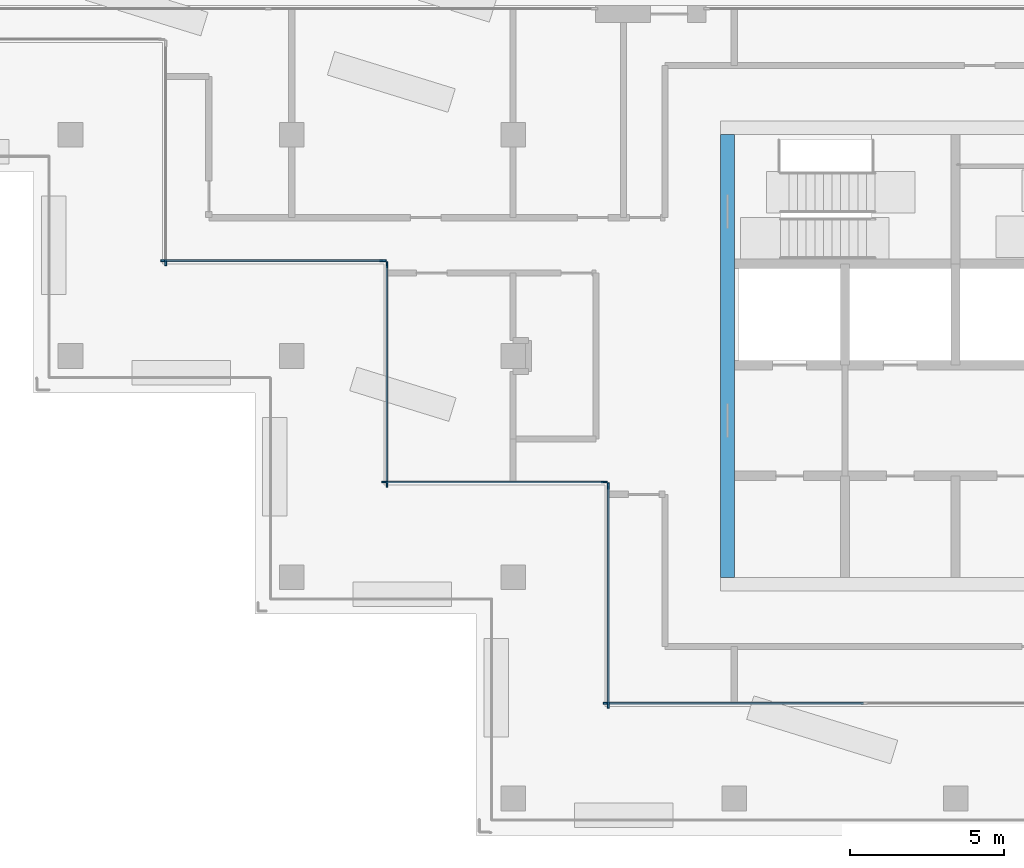
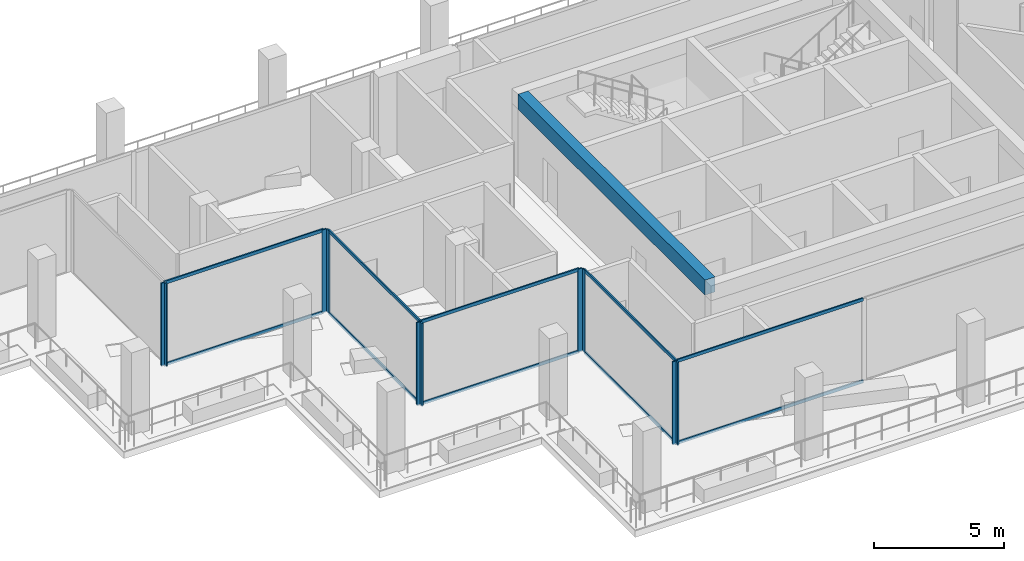
# One storey, part 2 of 20: 20 members, 1 beam, 6 elements without a shape of their own.
"""IFC4 building model written with IfcOpenShell, lengths in metres."""

from ifc_helpers import new_model, si_unit, direction, frame, origin, origin_2d, place, context, subcontext, project, spatial, rectangle, extrude, material, material_profile, profile_set, type_object, element, aggregate, save


model = new_model("IFC4")

# Units and contexts
model_context = context("Model", 3, precision=1e-05, world=origin(), true_north=direction((0.0, 1.0)))
body_context = subcontext(model_context, "Body", "Model", "MODEL_VIEW")
ifc_project = project(units=[si_unit("LENGTHUNIT", "METRE"), si_unit("AREAUNIT", "SQUARE_METRE"), si_unit("VOLUMEUNIT", "CUBIC_METRE"), si_unit("PLANEANGLEUNIT", "RADIAN"), si_unit("MASSUNIT", "GRAM", prefix="KILO")], contexts=[model_context])

# Site, building, storey
site_placement = place(None, origin())
site = spatial("IfcSite", under=ifc_project, at=site_placement, CompositionType="ELEMENT")
building_placement = place(site_placement, origin())
building = spatial("IfcBuilding", under=site, at=building_placement, Name="Windrow Commons", CompositionType="ELEMENT")
storey_placement = place(building_placement, frame((0.0, 0.0, 239.6)))
storey = spatial("IfcBuildingStorey", under=building, at=storey_placement, Name="L65", CompositionType="ELEMENT", Elevation=239.6)

# Curtain wall, member
ifc_material_1 = material(Name="Clear laminated glass in Aluminium 6063-T6 anodised frame", Category="aluminium")
curtain_wall_type = type_object("IfcCurtainWallType", Name="Curtain wall CW2H sky lounge upper", PredefinedType="USERDEFINED", material=ifc_material_1)
placement = place(storey_placement, origin())
curtain_wall_1 = element("IfcCurtainWall", 1, at=placement, inside=storey, type_object=curtain_wall_type, Name="Curtain wall CW2H L65 7", ObjectType="UNITISED", PredefinedType="USERDEFINED")
ifc_material_2 = material(Name="Aluminium 6063-T6", Category="aluminium")
ifc_material_profile_1 = material_profile(ifc_material_2, rectangle(XDim=0.06, YDim=0.2, at=origin_2d()))
ifc_profile_set_1 = profile_set([ifc_material_profile_1], Name="Aluminium 6063-T6")
member_type_1 = type_object("IfcMemberType", Name="CW2H mullion 60x200", PredefinedType="MULLION", material=ifc_profile_set_1)
member_1_placement = place(storey_placement, frame((39.1, 60.63, 0.0), z_axis=(0.0, 0.0, 1.0), x_axis=(1.0, 0.0, 0.0)))
member_1 = element("IfcMember", 2, at=member_1_placement, type_object=member_type_1, Name="CW2H mullion 2", PredefinedType="MULLION", context=body_context, shape_type="SweptSolid", body=[
    extrude(rectangle(XDim=0.06, YDim=0.2, at=origin_2d()), origin(), (0.0, 0.0, 1.0), 3.9),
])
aggregate(curtain_wall_1, [member_1])

# Curtain wall, members
curtain_wall_2 = element("IfcCurtainWall", 3, at=placement, inside=storey, type_object=curtain_wall_type, Name="Curtain wall CW2H L65 8", ObjectType="UNITISED", PredefinedType="USERDEFINED")
member_2_placement = place(storey_placement, frame((39.03, 60.7, 0.0), z_axis=(0.0, 0.0, 1.0), x_axis=(0.0, 1.0, 0.0)))
member_2 = element("IfcMember", 4, at=member_2_placement, type_object=member_type_1, Name="CW2H mullion 1", PredefinedType="MULLION", context=body_context, shape_type="SweptSolid", body=[
    extrude(rectangle(XDim=0.06, YDim=0.2, at=origin_2d()), origin(), (0.0, 0.0, 1.0), 3.9),
])
member_3_placement = place(storey_placement, frame((46.17, 60.7, 0.0), z_axis=(0.0, 0.0, 1.0), x_axis=(0.0, 1.0, 0.0)))
member_3 = element("IfcMember", 5, at=member_3_placement, type_object=member_type_1, Name="CW2H mullion 2", PredefinedType="MULLION", context=body_context, shape_type="SweptSolid", body=[
    extrude(rectangle(XDim=0.06, YDim=0.2, at=origin_2d()), origin(), (0.0, 0.0, 1.0), 3.9),
])

curtain_wall_3 = element("IfcCurtainWall", 6, at=placement, inside=storey, type_object=curtain_wall_type, Name="Curtain wall CW2H L65 9", ObjectType="UNITISED", PredefinedType="USERDEFINED")
member_4_placement = place(storey_placement, frame((46.3, 60.57, 0.0), z_axis=(0.0, 0.0, 1.0), x_axis=(1.0, 0.0, 0.0)))
member_4 = element("IfcMember", 7, at=member_4_placement, type_object=member_type_1, Name="CW2H mullion 1", PredefinedType="MULLION", context=body_context, shape_type="SweptSolid", body=[
    extrude(rectangle(XDim=0.06, YDim=0.2, at=origin_2d()), origin(), (0.0, 0.0, 1.0), 3.9),
])
member_5_placement = place(storey_placement, frame((46.3, 53.43, 0.0), z_axis=(0.0, 0.0, 1.0), x_axis=(1.0, 0.0, 0.0)))
member_5 = element("IfcMember", 8, at=member_5_placement, type_object=member_type_1, Name="CW2H mullion 2", PredefinedType="MULLION", context=body_context, shape_type="SweptSolid", body=[
    extrude(rectangle(XDim=0.06, YDim=0.2, at=origin_2d()), origin(), (0.0, 0.0, 1.0), 3.9),
])

curtain_wall_4 = element("IfcCurtainWall", 9, at=placement, inside=storey, type_object=curtain_wall_type, Name="Curtain wall CW2H L65 10", ObjectType="UNITISED", PredefinedType="USERDEFINED")
member_6_placement = place(storey_placement, frame((46.23, 53.5, 0.0), z_axis=(0.0, 0.0, 1.0), x_axis=(0.0, 1.0, 0.0)))
member_6 = element("IfcMember", 10, at=member_6_placement, type_object=member_type_1, Name="CW2H mullion 1", PredefinedType="MULLION", context=body_context, shape_type="SweptSolid", body=[
    extrude(rectangle(XDim=0.06, YDim=0.2, at=origin_2d()), origin(), (0.0, 0.0, 1.0), 3.9),
])
member_7_placement = place(storey_placement, frame((53.37, 53.5, 0.0), z_axis=(0.0, 0.0, 1.0), x_axis=(0.0, 1.0, 0.0)))
member_7 = element("IfcMember", 11, at=member_7_placement, type_object=member_type_1, Name="CW2H mullion 2", PredefinedType="MULLION", context=body_context, shape_type="SweptSolid", body=[
    extrude(rectangle(XDim=0.06, YDim=0.2, at=origin_2d()), origin(), (0.0, 0.0, 1.0), 3.9),
])

curtain_wall_5 = element("IfcCurtainWall", 12, at=placement, inside=storey, type_object=curtain_wall_type, Name="Curtain wall CW2H L65 11", ObjectType="UNITISED", PredefinedType="USERDEFINED")
member_8_placement = place(storey_placement, frame((53.5, 53.37, 0.0), z_axis=(0.0, 0.0, 1.0), x_axis=(1.0, 0.0, 0.0)))
member_8 = element("IfcMember", 13, at=member_8_placement, type_object=member_type_1, Name="CW2H mullion 1", PredefinedType="MULLION", context=body_context, shape_type="SweptSolid", body=[
    extrude(rectangle(XDim=0.06, YDim=0.2, at=origin_2d()), origin(), (0.0, 0.0, 1.0), 3.9),
])
member_9_placement = place(storey_placement, frame((53.5, 46.23, 0.0), z_axis=(0.0, 0.0, 1.0), x_axis=(1.0, 0.0, 0.0)))
member_9 = element("IfcMember", 14, at=member_9_placement, type_object=member_type_1, Name="CW2H mullion 2", PredefinedType="MULLION", context=body_context, shape_type="SweptSolid", body=[
    extrude(rectangle(XDim=0.06, YDim=0.2, at=origin_2d()), origin(), (0.0, 0.0, 1.0), 3.9),
])

# Curtain wall, member
curtain_wall_6 = element("IfcCurtainWall", 15, at=placement, inside=storey, type_object=curtain_wall_type, Name="Curtain wall CW2H L65 12", ObjectType="UNITISED", PredefinedType="USERDEFINED")
member_10_placement = place(storey_placement, frame((53.43, 46.3, 0.0), z_axis=(0.0, 0.0, 1.0), x_axis=(0.0, 1.0, 0.0)))
member_10 = element("IfcMember", 16, at=member_10_placement, type_object=member_type_1, Name="CW2H mullion 1", PredefinedType="MULLION", context=body_context, shape_type="SweptSolid", body=[
    extrude(rectangle(XDim=0.06, YDim=0.2, at=origin_2d()), origin(), (0.0, 0.0, 1.0), 3.9),
])

# Member
ifc_material_3 = material(Name="Aluminium 6063-T6", Category="aluminium")
ifc_material_profile_2 = material_profile(ifc_material_3, rectangle(XDim=0.06, YDim=0.15, at=origin_2d()))
ifc_profile_set_2 = profile_set([ifc_material_profile_2], Name="Aluminium 6063-T6")
member_type_2 = type_object("IfcMemberType", Name="CW2H transom 60x150", PredefinedType="USERDEFINED", material=ifc_profile_set_2)
member_11_placement = place(storey_placement, frame((39.06, 60.7, 0.03), z_axis=(1.0, 0.0, 0.0), x_axis=(0.0, 1.0, 0.0)))
member_11 = element("IfcMember", 17, at=member_11_placement, type_object=member_type_2, Name="CW2H transom 1.1", ObjectType="TRANSOM", PredefinedType="USERDEFINED", context=body_context, shape_type="SweptSolid", body=[
    extrude(rectangle(XDim=0.06, YDim=0.15, at=origin_2d()), origin(), (0.0, 0.0, 1.0), 7.08),
])

member_12_placement = place(storey_placement, frame((39.06, 60.7, 3.87), z_axis=(1.0, 0.0, 0.0), x_axis=(0.0, 1.0, 0.0)))
member_12 = element("IfcMember", 18, at=member_12_placement, type_object=member_type_2, Name="CW2H transom 1.2", ObjectType="TRANSOM", PredefinedType="USERDEFINED", context=body_context, shape_type="SweptSolid", body=[
    extrude(rectangle(XDim=0.06, YDim=0.15, at=origin_2d()), origin(), (0.0, 0.0, 1.0), 7.08),
])

aggregate(curtain_wall_2, [member_2, member_3, member_11, member_12])

member_13_placement = place(storey_placement, frame((46.3, 60.54, 0.03), z_axis=(0.0, -1.0, 0.0), x_axis=(1.0, 0.0, 0.0)))
member_13 = element("IfcMember", 19, at=member_13_placement, type_object=member_type_2, Name="CW2H transom 1.1", ObjectType="TRANSOM", PredefinedType="USERDEFINED", context=body_context, shape_type="SweptSolid", body=[
    extrude(rectangle(XDim=0.06, YDim=0.15, at=origin_2d()), origin(), (0.0, 0.0, 1.0), 7.08),
])

member_14_placement = place(storey_placement, frame((46.3, 60.54, 3.87), z_axis=(0.0, -1.0, 0.0), x_axis=(1.0, 0.0, 0.0)))
member_14 = element("IfcMember", 20, at=member_14_placement, type_object=member_type_2, Name="CW2H transom 1.2", ObjectType="TRANSOM", PredefinedType="USERDEFINED", context=body_context, shape_type="SweptSolid", body=[
    extrude(rectangle(XDim=0.06, YDim=0.15, at=origin_2d()), origin(), (0.0, 0.0, 1.0), 7.08),
])

aggregate(curtain_wall_3, [member_4, member_5, member_13, member_14])

member_15_placement = place(storey_placement, frame((46.26, 53.5, 0.03), z_axis=(1.0, 0.0, 0.0), x_axis=(0.0, 1.0, 0.0)))
member_15 = element("IfcMember", 21, at=member_15_placement, type_object=member_type_2, Name="CW2H transom 1.1", ObjectType="TRANSOM", PredefinedType="USERDEFINED", context=body_context, shape_type="SweptSolid", body=[
    extrude(rectangle(XDim=0.06, YDim=0.15, at=origin_2d()), origin(), (0.0, 0.0, 1.0), 7.08),
])

member_16_placement = place(storey_placement, frame((46.26, 53.5, 3.87), z_axis=(1.0, 0.0, 0.0), x_axis=(0.0, 1.0, 0.0)))
member_16 = element("IfcMember", 22, at=member_16_placement, type_object=member_type_2, Name="CW2H transom 1.2", ObjectType="TRANSOM", PredefinedType="USERDEFINED", context=body_context, shape_type="SweptSolid", body=[
    extrude(rectangle(XDim=0.06, YDim=0.15, at=origin_2d()), origin(), (0.0, 0.0, 1.0), 7.08),
])

aggregate(curtain_wall_4, [member_6, member_7, member_15, member_16])

member_17_placement = place(storey_placement, frame((53.5, 53.34, 0.03), z_axis=(0.0, -1.0, 0.0), x_axis=(1.0, 0.0, 0.0)))
member_17 = element("IfcMember", 23, at=member_17_placement, type_object=member_type_2, Name="CW2H transom 1.1", ObjectType="TRANSOM", PredefinedType="USERDEFINED", context=body_context, shape_type="SweptSolid", body=[
    extrude(rectangle(XDim=0.06, YDim=0.15, at=origin_2d()), origin(), (0.0, 0.0, 1.0), 7.08),
])

member_18_placement = place(storey_placement, frame((53.5, 53.34, 3.87), z_axis=(0.0, -1.0, 0.0), x_axis=(1.0, 0.0, 0.0)))
member_18 = element("IfcMember", 24, at=member_18_placement, type_object=member_type_2, Name="CW2H transom 1.2", ObjectType="TRANSOM", PredefinedType="USERDEFINED", context=body_context, shape_type="SweptSolid", body=[
    extrude(rectangle(XDim=0.06, YDim=0.15, at=origin_2d()), origin(), (0.0, 0.0, 1.0), 7.08),
])

aggregate(curtain_wall_5, [member_8, member_9, member_17, member_18])

member_19_placement = place(storey_placement, frame((53.46, 46.3, 0.03), z_axis=(1.0, 0.0, 0.0), x_axis=(0.0, 1.0, 0.0)))
member_19 = element("IfcMember", 25, at=member_19_placement, type_object=member_type_2, Name="CW2H transom 1.1", ObjectType="TRANSOM", PredefinedType="USERDEFINED", context=body_context, shape_type="SweptSolid", body=[
    extrude(rectangle(XDim=0.06, YDim=0.15, at=origin_2d()), origin(), (0.0, 0.0, 1.0), 8.3419),
])

member_20_placement = place(storey_placement, frame((53.46, 46.3, 3.87), z_axis=(1.0, 0.0, 0.0), x_axis=(0.0, 1.0, 0.0)))
member_20 = element("IfcMember", 26, at=member_20_placement, type_object=member_type_2, Name="CW2H transom 1.2", ObjectType="TRANSOM", PredefinedType="USERDEFINED", context=body_context, shape_type="SweptSolid", body=[
    extrude(rectangle(XDim=0.06, YDim=0.15, at=origin_2d()), origin(), (0.0, 0.0, 1.0), 8.3419),
])

aggregate(curtain_wall_6, [member_10, member_19, member_20])

# Beam
ifc_material_4 = material(Name="Concrete C40/50", Category="concrete")
ifc_material_profile_3 = material_profile(ifc_material_4, rectangle(XDim=0.45, YDim=0.7, at=origin_2d()))
ifc_profile_set_3 = profile_set([ifc_material_profile_3], Name="Concrete C40/50")
beam_type = type_object("IfcBeamType", Name="RC COUPLING BEAM 450x700 C40/50", PredefinedType="LINTEL", material=ifc_profile_set_3)
beam_placement = place(storey_placement, frame((57.375, 50.4, 3.55), z_axis=(0.0, 1.0, 0.0), x_axis=(-1.0, 0.0, 0.0)))
element("IfcBeam", 27, at=beam_placement, inside=storey, type_object=beam_type, Name="Core A coupling beam outer-W", PredefinedType="LINTEL", context=body_context, shape_type="SweptSolid", body=[
    extrude(rectangle(XDim=0.45, YDim=0.7, at=origin_2d()), origin(), (0.0, 0.0, 1.0), 14.4),
])

save(model, "model.ifc")
